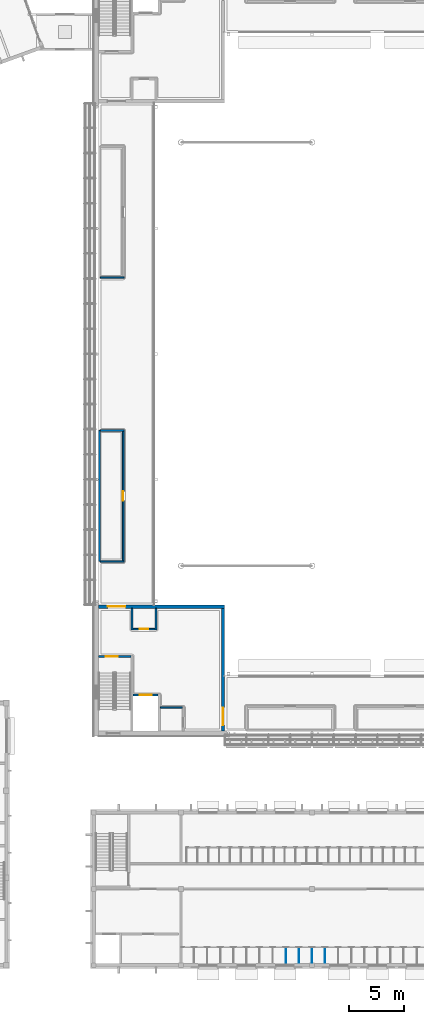
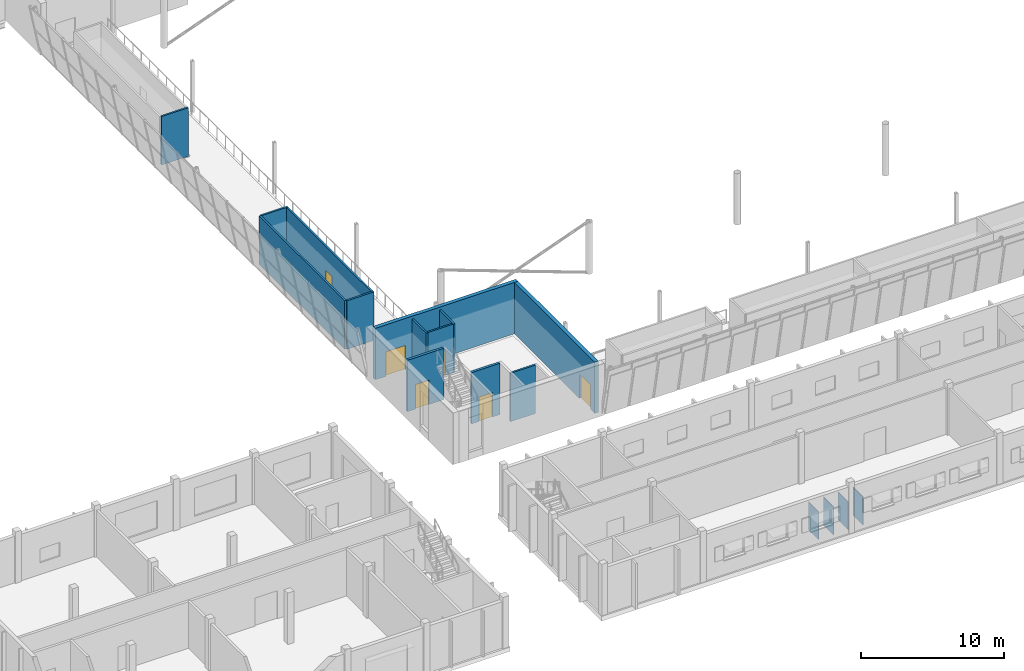
# One storey, part 62 of 115: 17 walls, 6 doors, 6 openings.
"""IFC4 building model written with IfcOpenShell, lengths in metres."""

from ifc_helpers import new_model, si_unit, direction, frame, frame_2d, origin, place, context, subcontext, project, spatial, rectangle, extrude, material, layer, layer_set, type_object, element, fill, save


model = new_model("IFC4")

# Units and contexts
model_context = context("Model", 3, precision=1e-05, world=origin(), true_north=direction((0.0, 1.0)))
body_context = subcontext(model_context, "Body", "Model", "MODEL_VIEW")
ifc_project = project(units=[si_unit("LENGTHUNIT", "METRE"), si_unit("AREAUNIT", "SQUARE_METRE"), si_unit("VOLUMEUNIT", "CUBIC_METRE"), si_unit("PLANEANGLEUNIT", "RADIAN"), si_unit("MASSUNIT", "GRAM", prefix="KILO")], contexts=[model_context])

# Site, building, storey
site_placement = place(None, origin())
site = spatial("IfcSite", under=ifc_project, at=site_placement, CompositionType="ELEMENT")
building_placement = place(site_placement, origin())
building = spatial("IfcBuilding", under=site, at=building_placement, Name="Windward Yard Aquatics Centre", CompositionType="ELEMENT")
storey_placement = place(building_placement, frame((0.0, 0.0, 5.0)))
storey = spatial("IfcBuildingStorey", under=building, at=storey_placement, Name="L01", CompositionType="ELEMENT", Elevation=5.0)

# Walls
ifc_material_1 = material(Name="High-pressure laminate panel on stainless frame")
ifc_layer_1 = layer(ifc_material_1, 0.0400390625)
ifc_layer_set_1 = layer_set([ifc_layer_1], Name="C cubicle panel 40")
wall_type_1 = type_object("IfcWallType", Name="C cubicle panel 40", PredefinedType="PARTITIONING", material=ifc_layer_set_1)
for number, where, z_axis, x_axis, name in (
    (1, (69.60009765625, 5.25, 0.0), (0.0, 0.0, 1.0), (0.0, 1.0, 0.0), "C.W.L01.A.P8"),
    (2, (70.800048828125, 5.25, 0.0), (0.0, 0.0, 1.0), (0.0, 1.0, 0.0), "C.W.L01.A.P9"),
    (3, (72.0, 5.25, 0.0), (0.0, 0.0, 1.0), (0.0, 1.0, 0.0), "C.W.L01.A.P10"),
    (4, (73.199951171875, 5.25, 0.0), (0.0, 0.0, 1.0), (0.0, 1.0, 0.0), "C.W.L01.A.P11"),
):
    element("IfcWall", number, at=place(storey_placement, frame(where, z_axis=z_axis, x_axis=x_axis)), inside=storey, type_object=wall_type_1, Name=name, PredefinedType="PARTITIONING", context=body_context, shape_type="SweptSolid", body=[
        extrude(rectangle(XDim=1.39990234375, YDim=0.0400390625, at=frame_2d((0.699951171875, 0.0))), origin(), (0.0, 0.0, 1.0), 2.39990234375),
    ])

# Wall, opening, door
ifc_material_2 = material(Name="Concrete C35/45", Category="concrete")
ifc_layer_2 = layer(ifc_material_2, 0.199951171875)
ifc_layer_set_2 = layer_set([ifc_layer_2], Name="H Enclosure Wall Concrete C35/45 200")
wall_type_2 = type_object("IfcWallType", Name="H Enclosure Wall Concrete C35/45 200", PredefinedType="SOLIDWALL", material=ifc_layer_set_2)
wall_1_placement = place(storey_placement, frame((52.449951171875, 33.300048828125, 0.0), z_axis=(0.0, 0.0, 1.0), x_axis=(1.0, 0.0, 0.0)))
wall_1 = element("IfcWall", 5, at=wall_1_placement, inside=storey, type_object=wall_type_2, Name="L01 W2 enclosure wall SW", PredefinedType="SOLIDWALL", context=body_context, shape_type="SweptSolid", body=[
    extrude(rectangle(XDim=2.949951171875, YDim=0.199951171875, at=frame_2d((1.47509765625, 0.0))), origin(), (0.0, 0.0, 1.0), 4.39990234375),
])
opening_1_placement = place(wall_1_placement, frame((0.64990234375, 0.0, 0.0)))
opening_1 = element("IfcOpeningElement", 6, at=opening_1_placement, cuts=wall_1, Name="Opening H1001", PredefinedType="OPENING", context=body_context, shape_type="SweptSolid", body=[
    extrude(rectangle(XDim=1.10009765625, YDim=2.10009765625, at=frame_2d((0.550048828125, 1.050048828125))), frame((0.0, 0.10986328125, 0.0), z_axis=(0.0, -1.0, 0.0), x_axis=(1.0, 0.0, 0.0)), (0.0, 0.0, 1.0), 0.219970703125),
])
ifc_material_3 = material(Name="Steel and timber door leaf", Category="steel")
door_type_1 = type_object("IfcDoorType", Name="H Door Single 1100 x 2100 FD60", OperationType="NOTDEFINED", PredefinedType="DOOR", material=ifc_material_3)
door_1_placement = place(opening_1_placement, origin())
door_1 = element("IfcDoor", 7, at=door_1_placement, inside=storey, type_object=door_type_1, Name="L01 stair SW door", OperationType="SINGLE_SWING_RIGHT", OverallHeight=2.10009765625, OverallWidth=1.10009765625, PredefinedType="DOOR", context=body_context, shape_type="SweptSolid", body=[
    extrude(rectangle(XDim=1.10009765625, YDim=2.10009765625, at=frame_2d((0.550048828125, 1.050048828125))), frame((0.0, 0.02490234375, 0.0), z_axis=(0.0, -1.0, 0.0), x_axis=(1.0, 0.0, 0.0)), (0.0, 0.0, 1.0), 0.050048828125),
])
fill(opening_1, door_1)

wall_2_placement = place(storey_placement, frame((55.60009765625, 29.75, 0.0), z_axis=(0.0, 0.0, 1.0), x_axis=(1.0, 0.0, 0.0)))
wall_2 = element("IfcWall", 8, at=wall_2_placement, inside=storey, type_object=wall_type_2, Name="L01 W4 enclosure wall SW", PredefinedType="SOLIDWALL", context=body_context, shape_type="SweptSolid", body=[
    extrude(rectangle(XDim=2.2998046875, YDim=0.199951171875, at=frame_2d((1.14990234375, 0.0))), origin(), (0.0, 0.0, 1.0), 4.39990234375),
])
opening_2_placement = place(wall_2_placement, frame((0.60009765625, 0.0, 0.0)))
opening_2 = element("IfcOpeningElement", 9, at=opening_2_placement, cuts=wall_2, Name="Opening H1002", PredefinedType="OPENING", context=body_context, shape_type="SweptSolid", body=[
    extrude(rectangle(XDim=1.10009765625, YDim=2.10009765625, at=frame_2d((0.550048828125, 1.050048828125))), frame((0.0, 0.10986328125, 0.0), z_axis=(0.0, -1.0, 0.0), x_axis=(1.0, 0.0, 0.0)), (0.0, 0.0, 1.0), 0.219970703125),
])
ifc_material_4 = material(Name="Stainless steel 1.4301", Category="steel")
door_type_2 = type_object("IfcDoorType", Name="H Lift Landing Door 1100 x 2100", OperationType="DOUBLE_DOOR_SLIDING", PredefinedType="DOOR", material=ifc_material_4)
door_2_placement = place(opening_2_placement, origin())
door_2 = element("IfcDoor", 10, at=door_2_placement, inside=storey, type_object=door_type_2, Name="Lift SW landing door L01", OperationType="DOUBLE_DOOR_SLIDING", OverallHeight=2.10009765625, OverallWidth=1.10009765625, PredefinedType="DOOR", context=body_context, shape_type="SweptSolid", body=[
    extrude(rectangle(XDim=1.10009765625, YDim=2.10009765625, at=frame_2d((0.550048828125, 1.050048828125))), frame((0.0, 0.02490234375, 0.0), z_axis=(0.0, -1.0, 0.0), x_axis=(1.0, 0.0, 0.0)), (0.0, 0.0, 1.0), 0.050048828125),
])
fill(opening_2, door_2)

# Wall
ifc_material_5 = material(Name="Blockwork 150 mm", Category="masonry")
ifc_layer_3 = layer(ifc_material_5, 0.14990234375)
ifc_layer_set_3 = layer_set([ifc_layer_3], Name="H Partition Blockwork 150")
wall_type_3 = type_object("IfcWallType", Name="H Partition Blockwork 150", PredefinedType="PARTITIONING", material=ifc_layer_set_3)
wall_3_placement = place(storey_placement, frame((58.10009765625, 28.60009765625, 0.0), z_axis=(0.0, 0.0, 1.0), x_axis=(1.0, 0.0, 0.0)))
element("IfcWall", 11, at=wall_3_placement, inside=storey, type_object=wall_type_3, Name="L01 R1N riser wall SW", PredefinedType="PARTITIONING", context=body_context, shape_type="SweptSolid", body=[
    extrude(rectangle(XDim=2.02490234375, YDim=0.14990234375, at=frame_2d((1.012451171875, 0.0))), origin(), (0.0, 0.0, 1.0), 4.14990234375),
])

# Wall, opening, door
wall_4_placement = place(storey_placement, frame((55.574951171875, 35.800048828125, 0.0), z_axis=(0.0, 0.0, 1.0), x_axis=(1.0, 0.0, 0.0)))
wall_4 = element("IfcWall", 12, at=wall_4_placement, inside=storey, type_object=wall_type_3, Name="L01 R2S riser wall SW", PredefinedType="PARTITIONING", context=body_context, shape_type="SweptSolid", body=[
    extrude(rectangle(XDim=2.050048828125, YDim=0.14990234375, at=frame_2d((1.02490234375, 0.0))), origin(), (0.0, 0.0, 1.0), 4.14990234375),
])
opening_3_placement = place(wall_4_placement, frame((0.625, 0.0, 0.0)))
opening_3 = element("IfcOpeningElement", 13, at=opening_3_placement, cuts=wall_4, Name="Opening H1004", PredefinedType="OPENING", context=body_context, shape_type="SweptSolid", body=[
    extrude(rectangle(XDim=0.800048828125, YDim=2.10009765625, at=frame_2d((0.39990234375, 1.050048828125))), frame((0.0, 0.0849609375, 0.0), z_axis=(0.0, -1.0, 0.0), x_axis=(1.0, 0.0, 0.0)), (0.0, 0.0, 1.0), 0.169921875),
])
door_type_3 = type_object("IfcDoorType", Name="H Door Riser 800 x 2100 FD60", OperationType="NOTDEFINED", PredefinedType="DOOR", material=ifc_material_3)
door_3_placement = place(opening_3_placement, origin())
door_3 = element("IfcDoor", 14, at=door_3_placement, inside=storey, type_object=door_type_3, Name="L01 communications riser SW door", OperationType="SINGLE_SWING_RIGHT", OverallHeight=2.10009765625, OverallWidth=0.800048828125, PredefinedType="DOOR", context=body_context, shape_type="SweptSolid", body=[
    extrude(rectangle(XDim=0.800048828125, YDim=2.10009765625, at=frame_2d((0.39990234375, 1.050048828125))), frame((0.0, 0.02490234375, 0.0), z_axis=(0.0, -1.0, 0.0), x_axis=(1.0, 0.0, 0.0)), (0.0, 0.0, 1.0), 0.050048828125),
])
fill(opening_3, door_3)

# Walls
for number, where, z_axis, x_axis, name in (
    (15, (55.5, 35.72509765625, 0.0), (0.0, 0.0, 1.0), (0.0, 1.0, 0.0), "L01 R2W riser wall SW"),
    (16, (57.699951171875, 35.72509765625, 0.0), (0.0, 0.0, 1.0), (0.0, 1.0, 0.0), "L01 R2E riser wall SW"),
):
    element("IfcWall", number, at=place(storey_placement, frame(where, z_axis=z_axis, x_axis=x_axis)), inside=storey, type_object=wall_type_3, Name=name, PredefinedType="PARTITIONING", context=body_context, shape_type="SweptSolid", body=[
        extrude(rectangle(XDim=1.974853515625, YDim=0.14990234375, at=frame_2d((0.9873046875, 0.0))), origin(), (0.0, 0.0, 1.0), 4.14990234375),
    ])

# Wall, opening, door
wall_5_placement = place(storey_placement, frame((54.699951171875, 42.074951171875, 0.0), z_axis=(0.0, 0.0, 1.0), x_axis=(0.0, 1.0, 0.0)))
wall_5 = element("IfcWall", 17, at=wall_5_placement, inside=storey, type_object=wall_type_3, Name="L01 partition Cafe Counter", PredefinedType="PARTITIONING", context=body_context, shape_type="SweptSolid", body=[
    extrude(rectangle(XDim=11.85009765625, YDim=0.14990234375, at=frame_2d((5.925048828125, 0.0))), origin(), (0.0, 0.0, 1.0), 4.14990234375),
])
opening_4_placement = place(wall_5_placement, frame((5.47509765625, 0.0, 0.0)))
opening_4 = element("IfcOpeningElement", 18, at=opening_4_placement, cuts=wall_5, Name="Opening H1038", PredefinedType="OPENING", context=body_context, shape_type="SweptSolid", body=[
    extrude(rectangle(XDim=0.89990234375, YDim=2.10009765625, at=frame_2d((0.449951171875, 1.050048828125))), frame((0.0, 0.0849609375, 0.0), z_axis=(0.0, -1.0, 0.0), x_axis=(1.0, 0.0, 0.0)), (0.0, 0.0, 1.0), 0.169921875),
])
ifc_material_6 = material(Name="Timber door leaf", Category="wood")
door_type_4 = type_object("IfcDoorType", Name="H Door Single 900 x 2100 Not rated", OperationType="NOTDEFINED", PredefinedType="DOOR", material=ifc_material_6)
door_4_placement = place(opening_4_placement, origin())
door_4 = element("IfcDoor", 19, at=door_4_placement, inside=storey, type_object=door_type_4, Name="L01 Cafe Counter door", OperationType="SINGLE_SWING_RIGHT", OverallHeight=2.10009765625, OverallWidth=0.89990234375, PredefinedType="DOOR", context=body_context, shape_type="SweptSolid", body=[
    extrude(rectangle(XDim=0.89990234375, YDim=2.10009765625, at=frame_2d((0.449951171875, 1.050048828125))), frame((0.0, 0.02490234375, 0.0), z_axis=(0.0, -1.0, 0.0), x_axis=(1.0, 0.0, 0.0)), (0.0, 0.0, 1.0), 0.050048828125),
])
fill(opening_4, door_4)

# Walls
for number, where, z_axis, x_axis, name in (
    (20, (52.60009765625, 42.0, 0.0), (0.0, 0.0, 1.0), (1.0, 0.0, 0.0), "L01 partition Cafe Counter"),
    (21, (52.60009765625, 54.0, 0.0), (0.0, 0.0, 1.0), (1.0, 0.0, 0.0), "L01 partition Cafe Counter"),
):
    element("IfcWall", number, at=place(storey_placement, frame(where, z_axis=z_axis, x_axis=x_axis)), inside=storey, type_object=wall_type_3, Name=name, PredefinedType="PARTITIONING", context=body_context, shape_type="SweptSolid", body=[
        extrude(rectangle(XDim=2.1748046875, YDim=0.14990234375, at=frame_2d((1.08740234375, 0.0))), origin(), (0.0, 0.0, 1.0), 4.14990234375),
    ])
wall_6_placement = place(storey_placement, frame((52.52490234375, 42.0, 0.0), z_axis=(0.0, 0.0, 1.0), x_axis=(0.0, 1.0, 0.0)))
element("IfcWall", 22, at=wall_6_placement, inside=storey, type_object=wall_type_3, Name="L01 wall Cafe Counter", PredefinedType="PARTITIONING", context=body_context, shape_type="SweptSolid", body=[
    extrude(rectangle(XDim=12.0, YDim=0.14990234375, at=frame_2d((6.0, 0.0))), origin(), (0.0, 0.0, 1.0), 4.14990234375),
])
wall_7_placement = place(storey_placement, frame((52.60009765625, 68.0, 0.0), z_axis=(0.0, 0.0, 1.0), x_axis=(1.0, 0.0, 0.0)))
element("IfcWall", 23, at=wall_7_placement, inside=storey, type_object=wall_type_3, Name="L01 partition Kiosk", PredefinedType="PARTITIONING", context=body_context, shape_type="SweptSolid", body=[
    extrude(rectangle(XDim=2.1748046875, YDim=0.14990234375, at=frame_2d((1.08740234375, 0.0))), origin(), (0.0, 0.0, 1.0), 4.14990234375),
])

# Wall, opening, door
ifc_layer_4 = layer(ifc_material_2, 0.300048828125)
ifc_layer_set_4 = layer_set([ifc_layer_4], Name="H rear wall 300 C35/45")
wall_type_4 = type_object("IfcWallType", Name="H rear wall 300 C35/45", PredefinedType="SOLIDWALL", material=ifc_layer_set_4)
wall_8_placement = place(storey_placement, frame((63.85009765625, 26.449951171875, 0.0), z_axis=(0.0, 0.0, 1.0), x_axis=(0.0, 1.0, 0.0)))
wall_8 = element("IfcWall", 24, at=wall_8_placement, inside=storey, type_object=wall_type_4, Name="H.CW.SW.E.L01", PredefinedType="SOLIDWALL", context=body_context, shape_type="SweptSolid", body=[
    extrude(rectangle(XDim=11.25, YDim=0.300048828125, at=frame_2d((5.625, 0.0))), origin(), (0.0, 0.0, 1.0), 4.39990234375),
])
opening_5_placement = place(wall_8_placement, frame((0.550048828125, 0.0, 0.0)))
opening_5 = element("IfcOpeningElement", 25, at=opening_5_placement, cuts=wall_8, Name="Opening H1005", PredefinedType="OPENING", context=body_context, shape_type="SweptSolid", body=[
    extrude(rectangle(XDim=1.60009765625, YDim=2.10009765625, at=frame_2d((0.800048828125, 1.050048828125))), frame((0.0, 0.16015625, 0.0), z_axis=(0.0, -1.0, 0.0), x_axis=(1.0, 0.0, 0.0)), (0.0, 0.0, 1.0), 0.320068359375),
])
door_type_5 = type_object("IfcDoorType", Name="H Door Double 1600 x 2100 FD60", OperationType="DOUBLE_DOOR_SINGLE_SWING", PredefinedType="DOOR", material=ifc_material_3)
door_5_placement = place(opening_5_placement, origin())
door_5 = element("IfcDoor", 26, at=door_5_placement, inside=storey, type_object=door_type_5, Name="L01 core SW door to strip", OperationType="DOUBLE_DOOR_SINGLE_SWING", OverallHeight=2.10009765625, OverallWidth=1.60009765625, PredefinedType="DOOR", context=body_context, shape_type="SweptSolid", body=[
    extrude(rectangle(XDim=1.60009765625, YDim=2.10009765625, at=frame_2d((0.800048828125, 1.050048828125))), frame((0.0, 0.02490234375, 0.0), z_axis=(0.0, -1.0, 0.0), x_axis=(1.0, 0.0, 0.0)), (0.0, 0.0, 1.0), 0.050048828125),
])
fill(opening_5, door_5)

wall_9_placement = place(storey_placement, frame((52.449951171875, 37.85009765625, 0.0), z_axis=(0.0, 0.0, 1.0), x_axis=(1.0, 0.0, 0.0)))
wall_9 = element("IfcWall", 27, at=wall_9_placement, inside=storey, type_object=wall_type_4, Name="H.CW.SW.N.L01", PredefinedType="SOLIDWALL", context=body_context, shape_type="SweptSolid", body=[
    extrude(rectangle(XDim=11.550048828125, YDim=0.300048828125, at=frame_2d((5.77490234375, 0.0))), origin(), (0.0, 0.0, 1.0), 4.39990234375),
])
opening_6_placement = place(wall_9_placement, frame((0.85009765625, 0.0, 0.0)))
opening_6 = element("IfcOpeningElement", 28, at=opening_6_placement, cuts=wall_9, Name="Opening H1006", PredefinedType="OPENING", context=body_context, shape_type="SweptSolid", body=[
    extrude(rectangle(XDim=1.60009765625, YDim=2.10009765625, at=frame_2d((0.800048828125, 1.050048828125))), frame((0.0, 0.16015625, 0.0), z_axis=(0.0, -1.0, 0.0), x_axis=(1.0, 0.0, 0.0)), (0.0, 0.0, 1.0), 0.320068359375),
])
door_6_placement = place(opening_6_placement, origin())
door_6 = element("IfcDoor", 29, at=door_6_placement, inside=storey, type_object=door_type_5, Name="L01 core SW door to gable", OperationType="DOUBLE_DOOR_SINGLE_SWING", OverallHeight=2.10009765625, OverallWidth=1.60009765625, PredefinedType="DOOR", context=body_context, shape_type="SweptSolid", body=[
    extrude(rectangle(XDim=1.60009765625, YDim=2.10009765625, at=frame_2d((0.800048828125, 1.050048828125))), frame((0.0, 0.02490234375, 0.0), z_axis=(0.0, -1.0, 0.0), x_axis=(1.0, 0.0, 0.0)), (0.0, 0.0, 1.0), 0.050048828125),
])
fill(opening_6, door_6)

save(model, "model.ifc")
